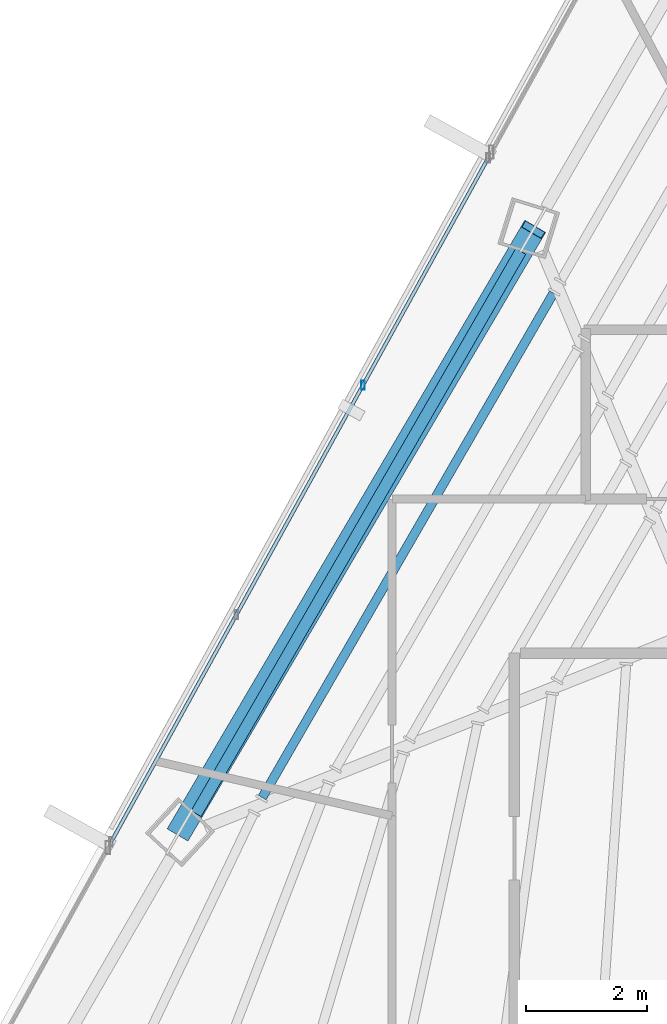
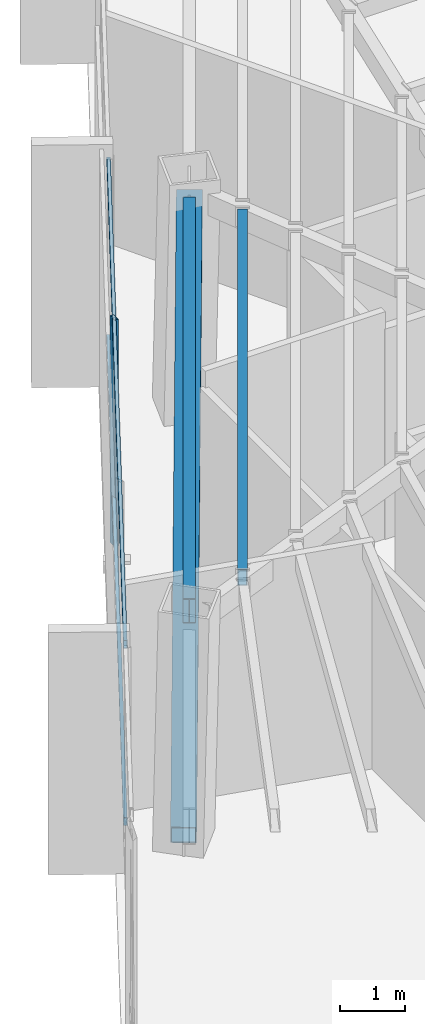
# One storey, part 14 of 37: 4 members, 2 beams, 1 element without a shape of its own.
"""IFC4 building model written with IfcOpenShell, lengths in metres."""

from ifc_helpers import new_model, si_unit, direction, frame, origin, origin_2d, place, context, subcontext, project, spatial, hollow_rectangle, i_section, extrude, source, transform, mapped, material, material_profile, profile_set, type_object, type_shapes, element, aggregate, save


model = new_model("IFC4")

# Units and contexts
model_context = context("Model", 3, precision=1e-05, world=origin(), true_north=direction((0.0, 1.0)))
body_context = subcontext(model_context, "Body", "Model", "MODEL_VIEW")
ifc_project = project(units=[si_unit("LENGTHUNIT", "METRE"), si_unit("AREAUNIT", "SQUARE_METRE"), si_unit("VOLUMEUNIT", "CUBIC_METRE"), si_unit("PLANEANGLEUNIT", "RADIAN"), si_unit("MASSUNIT", "GRAM", prefix="KILO")], contexts=[model_context])

# Site, building, storey
site_placement = place(None, origin())
site = spatial("IfcSite", under=ifc_project, at=site_placement, CompositionType="ELEMENT")
building_placement = place(site_placement, origin())
building = spatial("IfcBuilding", under=site, at=building_placement, Name="Caelisora Broadcast Tower", CompositionType="ELEMENT")
storey_placement = place(building_placement, frame((0.0, 0.0, 225.35009765625)))
storey = spatial("IfcBuildingStorey", under=building, at=storey_placement, Name="L59", CompositionType="ELEMENT", Elevation=225.35009765625)

# Beams
ifc_material_1 = material(Name="Steel Grade 350 (AS/NZS 3679.1)", Category="steel")
ifc_material_profile_1 = material_profile(ifc_material_1, i_section(OverallWidth=0.19091796875, OverallDepth=0.46044921875, WebThickness=0.010009765625, FlangeThickness=0.01611328125, at=origin_2d()), Name="Steel Grade 350 (AS/NZS 3679.1)")
ifc_profile_set_1 = profile_set([ifc_material_profile_1], Name="Steel Grade 350 (AS/NZS 3679.1)")
beam_type_1 = type_object("IfcBeamType", Name="PG06", PredefinedType="BEAM", material=ifc_profile_set_1)
shared_shape_1 = source(origin(), body_context, "Body", "SweptSolid", [
    extrude(i_section(OverallWidth=0.19091796875, OverallDepth=0.46044921875, WebThickness=0.010009765625, FlangeThickness=0.01611328125, at=origin_2d()), origin(), (0.0, 0.0, 1.0), 10.73876953125),
])
type_shapes(beam_type_1, [shared_shape_1])
beam_1_placement = place(storey_placement, frame((27.5263671875, 36.2470703125, 4.019775390625), z_axis=(-0.499999935134, -0.866025441235, 0.0), x_axis=(0.866025441235, -0.499999935134, 0.0)))
element("IfcBeam", 1, at=beam_1_placement, inside=storey, type_object=beam_type_1, Name="L59 beam PG06", PredefinedType="BEAM", context=body_context, shape_type="MappedRepresentation", body=[
    mapped(shared_shape_1, transform((0.0, 0.0, 0.0), scale=1.0)),
])
ifc_material_2 = material(Name="Steel Grade 350 (AS/NZS 1163 C350L0)", Category="steel")
ifc_material_profile_2 = material_profile(ifc_material_2, hollow_rectangle(XDim=0.14990234375, YDim=0.300048828125, WallThickness=0.010009765625, at=origin_2d()), Name="Steel Grade 350 (AS/NZS 1163 C350L0)")
ifc_profile_set_2 = profile_set([ifc_material_profile_2], Name="Steel Grade 350 (AS/NZS 1163 C350L0)")
beam_type_2 = type_object("IfcBeamType", Name="SB05", PredefinedType="JOIST", material=ifc_profile_set_2)
shared_shape_2 = source(origin(), body_context, "Body", "SweptSolid", [
    extrude(hollow_rectangle(XDim=0.14990234375, YDim=0.300048828125, WallThickness=0.010009765625, at=origin_2d()), origin(), (0.0, 0.0, 1.0), 9.636474609375),
])
type_shapes(beam_type_2, [shared_shape_2])
beam_2_placement = place(storey_placement, frame((28.068115234375, 35.55712890625, 4.099853515625), z_axis=(-0.500008279685, -0.866020623453, 0.0), x_axis=(0.866020623453, -0.500008279685, 0.0)))
element("IfcBeam", 2, at=beam_2_placement, inside=storey, type_object=beam_type_2, Name="L59 beam SB05", PredefinedType="JOIST", context=body_context, shape_type="MappedRepresentation", body=[
    mapped(shared_shape_2, transform((0.0, 0.0, 0.0), scale=1.0)),
])

# Member
ifc_material_3 = material(Name="Steel Grade 450 (AS/NZS 1163 C450L0)", Category="steel")
ifc_material_profile_3 = material_profile(ifc_material_3, hollow_rectangle(XDim=0.39990234375, YDim=0.39990234375, WallThickness=0.01611328125, at=origin_2d()), Name="Steel Grade 450 (AS/NZS 1163 C450L0)")
ifc_profile_set_3 = profile_set([ifc_material_profile_3], Name="Steel Grade 450 (AS/NZS 1163 C450L0)")
member_type_1 = type_object("IfcMemberType", Name="BR04", PredefinedType="BRACE", material=ifc_profile_set_3)
shared_shape_3 = source(origin(), body_context, "Body", "SweptSolid", [
    extrude(hollow_rectangle(XDim=0.39990234375, YDim=0.39990234375, WallThickness=0.01611328125, at=origin_2d()), origin(), (0.0, 0.0, 1.0), 12.17578125),
])
type_shapes(member_type_1, [shared_shape_3])
member_1_placement = place(storey_placement, frame((27.734375, 36.607421875, 3.949951171875), z_axis=(-0.480666749902, -0.817907450161, -0.316207018437), x_axis=(0.862143867815, -0.506663548313, 0.0)))
element("IfcMember", 3, at=member_1_placement, inside=storey, type_object=member_type_1, Name="L59 perimeter brace BR04", PredefinedType="BRACE", context=body_context, shape_type="MappedRepresentation", body=[
    mapped(shared_shape_3, transform((0.0, 0.0, 0.0), scale=1.0)),
])

# Curtain wall, members
ifc_material_4 = material(Name="Unitised Aluminium Insulated Shadow-Box Spandrel Curtain Wall", Category="aluminium")
curtain_wall_type = type_object("IfcCurtainWallType", Name="CW-SP2", PredefinedType="NOTDEFINED", material=ifc_material_4)
curtain_wall_placement = place(storey_placement, origin())
curtain_wall = element("IfcCurtainWall", 4, at=curtain_wall_placement, inside=storey, type_object=curtain_wall_type, Name="L59 curtain wall CW-SP2", PredefinedType="NOTDEFINED")
ifc_material_5 = material(Name="Aluminium 6063-T6 Anodised Terracotta Bronze", Category="aluminium")
ifc_material_profile_4 = material_profile(ifc_material_5, hollow_rectangle(XDim=0.06005859375, YDim=0.14990234375, WallThickness=0.00341796875, at=origin_2d()), Name="Aluminium 6063-T6 Anodised Terracotta Bronze")
ifc_profile_set_4 = profile_set([ifc_material_profile_4], Name="Aluminium 6063-T6 Anodised Terracotta Bronze")
member_type_2 = type_object("IfcMemberType", Name="CWM-03", PredefinedType="MULLION", material=ifc_profile_set_4)
shared_shape_4 = source(origin(), body_context, "Body", "SweptSolid", [
    extrude(hollow_rectangle(XDim=0.06005859375, YDim=0.14990234375, WallThickness=0.00341796875, at=origin_2d()), origin(), (0.0, 0.0, 1.0), 4.25),
])
type_shapes(member_type_2, [shared_shape_4])
member_2_placement = place(storey_placement, frame((24.91748046875, 34.034912109375, 0.0), z_axis=(0.0, 0.0, 1.0), x_axis=(1.0, 0.0, 0.0)))
member_2 = element("IfcMember", 5, at=member_2_placement, type_object=member_type_2, Name="L59-CW-B10 mullion #2", PredefinedType="MULLION", context=body_context, shape_type="MappedRepresentation", body=[
    mapped(shared_shape_4, transform((0.0, 0.0, 0.0), scale=1.0)),
])
ifc_material_profile_5 = material_profile(ifc_material_5, hollow_rectangle(XDim=0.06005859375, YDim=0.14990234375, WallThickness=0.00341796875, at=origin_2d()), Name="Aluminium 6063-T6 Anodised Terracotta Bronze")
ifc_profile_set_5 = profile_set([ifc_material_profile_5], Name="Aluminium 6063-T6 Anodised Terracotta Bronze")
member_type_3 = type_object("IfcMemberType", Name="CWT-02", PredefinedType="USERDEFINED", material=ifc_profile_set_5)
shared_shape_5 = source(origin(), body_context, "Body", "SweptSolid", [
    extrude(hollow_rectangle(XDim=0.06005859375, YDim=0.14990234375, WallThickness=0.00341796875, at=origin_2d()), origin(), (0.0, 0.0, 1.0), 12.918212890625),
])
type_shapes(member_type_3, [shared_shape_5])
member_3_placement = place(storey_placement, frame((20.751708984375, 26.47802734375, 0.849853515625), z_axis=(0.482753564971, 0.87575624206, 0.0), x_axis=(-0.87575624206, 0.482753564971, 0.0)))
member_3 = element("IfcMember", 6, at=member_3_placement, type_object=member_type_3, Name="L59-CW-B10 transom #1", ObjectType="TRANSOM", PredefinedType="USERDEFINED", context=body_context, shape_type="MappedRepresentation", body=[
    mapped(shared_shape_5, transform((0.0, 0.0, 0.0), scale=1.0)),
])
member_4_placement = place(storey_placement, frame((20.751708984375, 26.47802734375, 4.169921875), z_axis=(0.482753564971, 0.87575624206, 0.0), x_axis=(-0.87575624206, 0.482753564971, 0.0)))
member_4 = element("IfcMember", 7, at=member_4_placement, type_object=member_type_3, Name="L59-CW-B10 transom #2", ObjectType="TRANSOM", PredefinedType="USERDEFINED", context=body_context, shape_type="MappedRepresentation", body=[
    mapped(shared_shape_5, transform((0.0, 0.0, 0.0), scale=1.0)),
])
aggregate(curtain_wall, [member_2, member_3, member_4])

save(model, "model.ifc")
